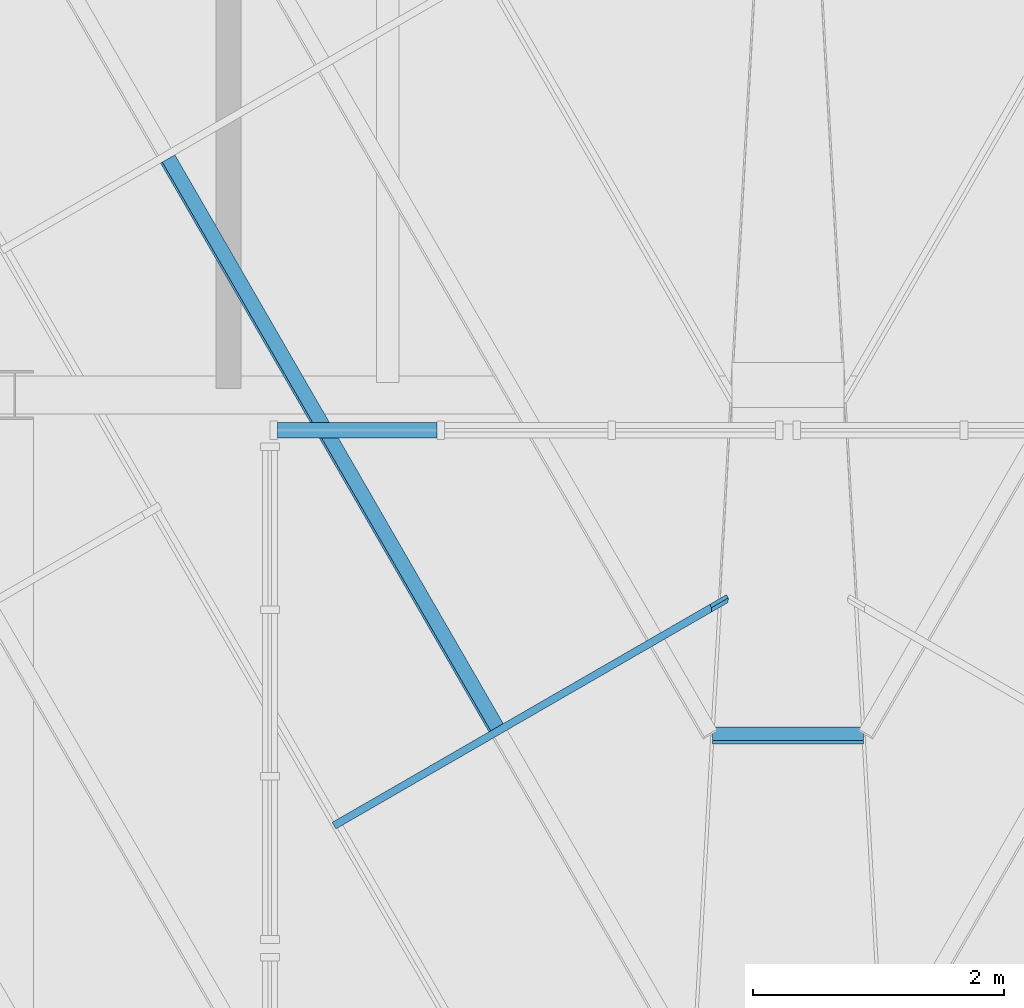
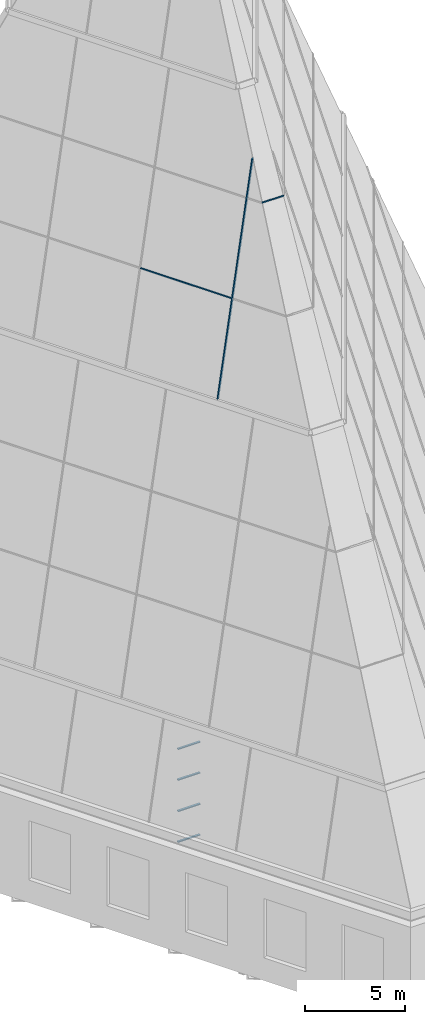
# One storey, part 11 of 36: 7 members, 3 elements without a shape of their own.
"""IFC4 building model written with IfcOpenShell, lengths in metres."""

from ifc_helpers import new_model, si_unit, direction, frame, origin, origin_2d, place, context, subcontext, project, spatial, rectangle, extrude, clip, halfspace, material, layer, layer_set, material_profile, profile_set, type_object, element, aggregate, save


model = new_model("IFC4")

# Units and contexts
model_context = context("Model", 3, precision=1e-05, world=origin(), true_north=direction((0.0, 1.0)))
body_context = subcontext(model_context, "Body", "Model", "MODEL_VIEW")
ifc_project = project(units=[si_unit("LENGTHUNIT", "METRE"), si_unit("AREAUNIT", "SQUARE_METRE"), si_unit("VOLUMEUNIT", "CUBIC_METRE"), si_unit("PLANEANGLEUNIT", "RADIAN"), si_unit("MASSUNIT", "GRAM", prefix="KILO")], contexts=[model_context])

# Site, building, storey
site_placement = place(None, origin())
site = spatial("IfcSite", under=ifc_project, at=site_placement, CompositionType="ELEMENT")
building_placement = place(site_placement, origin())
building = spatial("IfcBuilding", under=site, at=building_placement, Name="Njiva Tower", CompositionType="ELEMENT")
storey_placement = place(building_placement, frame((0.0, 0.0, 337.8)))
storey = spatial("IfcBuildingStorey", under=building, at=storey_placement, Name="L77", CompositionType="ELEMENT", Elevation=337.8)

# Curtain wall, members
ifc_material_1 = material(Name="Glazed curtain wall", Category="glass")
ifc_layer_1 = layer(ifc_material_1, 0.16)
ifc_layer_set_1 = layer_set([ifc_layer_1], Name="Glazed curtain wall")
curtain_wall_type_1 = type_object("IfcCurtainWallType", Name="CW2 Crown glazing, faceted point, long faces", PredefinedType="NOTDEFINED", material=ifc_layer_set_1)
curtain_wall_1_placement = place(storey_placement, origin())
curtain_wall_1 = element("IfcCurtainWall", 1, at=curtain_wall_1_placement, inside=storey, type_object=curtain_wall_type_1, Name="Crown glazing face SW tier 3", PredefinedType="NOTDEFINED")
ifc_material_2 = material(Name="Aluminium mullion", Category="aluminium")
ifc_material_profile_1 = material_profile(ifc_material_2, rectangle(XDim=0.16, YDim=0.06, at=origin_2d()), Name="RECT 160x60")
ifc_profile_set_1 = profile_set([ifc_material_profile_1], Name="Aluminium mullion")
member_type_1 = type_object("IfcMemberType", Name="CW2-M Crown glazing mullion 160x60", PredefinedType="MULLION", material=ifc_profile_set_1)
member_1_placement = place(storey_placement, frame((-3.5433, -6.5858, 28.6446), z_axis=(0.230732980377, 0.133218632255, 0.963854287632), x_axis=(-0.834714647889, -0.481940395056, 0.266429938659)))
member_1 = element("IfcMember", 2, at=member_1_placement, type_object=member_type_1, Name="CW2-33 mullion 4", PredefinedType="MULLION", context=body_context, shape_type="Clipping", body=[
    clip(clip(extrude(rectangle(XDim=0.16, YDim=0.06, at=origin_2d()), origin(), (0.0, 0.0, 1.0), 13.0124), halfspace(frame((0.08, 0.0, 0.0), z_axis=(-1.509678e-06, -4.229361e-06, -0.99999999999), x_axis=(0.0, -0.999999999991, 4.229361e-06)), False)), halfspace(frame((0.08, 0.0, 13.0125), z_axis=(1.4744855e-05, 0.926533993771, 0.376211055353), x_axis=(0.0, 0.376211055394, -0.926533993871)), False)),
])
ifc_material_3 = material(Name="Aluminium transom", Category="aluminium")
ifc_material_profile_2 = material_profile(ifc_material_3, rectangle(XDim=0.12, YDim=0.06, at=origin_2d()), Name="RECT 120x60")
ifc_profile_set_2 = profile_set([ifc_material_profile_2], Name="Aluminium transom")
member_type_2 = type_object("IfcMemberType", Name="CW2-T Crown glazing transom 120x60", PredefinedType="USERDEFINED", material=ifc_profile_set_2)
member_2_placement = place(storey_placement, frame((-4.9332, -1.3218, 33.8869), z_axis=(0.500011895634, -0.866018535728, 0.0), x_axis=(-0.834716027067, -0.481938810534, 0.266428483949)))
member_2 = element("IfcMember", 3, at=member_2_placement, type_object=member_type_2, Name="CW2-33 transom 4.1", ObjectType="TRANSOM", PredefinedType="USERDEFINED", context=body_context, shape_type="SweptSolid", body=[
    extrude(rectangle(XDim=0.12, YDim=0.06, at=origin_2d()), origin(), (0.0, 0.0, 1.0), 5.2237),
])
aggregate(curtain_wall_1, [member_1, member_2])

# Curtain wall, member
ifc_layer_2 = layer(ifc_material_1, 0.16)
ifc_layer_set_2 = layer_set([ifc_layer_2], Name="Glazed curtain wall")
curtain_wall_type_2 = type_object("IfcCurtainWallType", Name="CW3 Crown glazing, faceted point, corner faces", PredefinedType="NOTDEFINED", material=ifc_layer_set_2)
curtain_wall_2_placement = place(storey_placement, origin())
curtain_wall_2 = element("IfcCurtainWall", 4, at=curtain_wall_2_placement, inside=storey, type_object=curtain_wall_type_2, Name="Crown glazing face S tier 3", PredefinedType="NOTDEFINED")
ifc_material_profile_3 = material_profile(ifc_material_3, rectangle(XDim=0.12, YDim=0.06, at=origin_2d()), Name="RECT 120x60")
ifc_profile_set_3 = profile_set([ifc_material_profile_3], Name="Aluminium transom")
member_type_3 = type_object("IfcMemberType", Name="CW3-T Crown corner glazing transom 120x60", PredefinedType="USERDEFINED", material=ifc_profile_set_3)
member_3_placement = place(storey_placement, frame((-0.6002, -5.9089, 39.131), z_axis=(1.0, 0.0, 0.0), x_axis=(0.0, -0.893337093856, 0.449387179101)))
member_3 = element("IfcMember", 5, at=member_3_placement, type_object=member_type_3, Name="CW3-43 transom 1.2", ObjectType="TRANSOM", PredefinedType="USERDEFINED", context=body_context, shape_type="Clipping", body=[
    clip(clip(extrude(rectangle(XDim=0.12, YDim=0.06, at=origin_2d()), origin(), (0.0, 0.0, 1.0), 1.2004), halfspace(frame((0.06, 0.0, 0.0), z_axis=(5.16e-10, -0.025674887923, -0.999670345729), x_axis=(0.0, -0.999670345729, 0.025674887923)), False)), halfspace(frame((0.06, 0.0, 1.2004), z_axis=(5.16e-10, -0.025674887923, 0.999670345729), x_axis=(0.0, 0.999670345729, 0.025674887923)), False)),
])
aggregate(curtain_wall_2, [member_3])

# Curtain wall, members
ifc_layer_3 = layer(ifc_material_1, 0.2)
ifc_layer_set_3 = layer_set([ifc_layer_3], Name="Glazed curtain wall")
curtain_wall_type_3 = type_object("IfcCurtainWallType", Name="CW5 Atrium lantern glazing", PredefinedType="NOTDEFINED", material=ifc_layer_set_3)
curtain_wall_3_placement = place(storey_placement, origin())
curtain_wall_3 = element("IfcCurtainWall", 6, at=curtain_wall_3_placement, inside=storey, type_object=curtain_wall_type_3, Name="Atrium lantern north 1", PredefinedType="NOTDEFINED")
ifc_material_profile_4 = material_profile(ifc_material_3, rectangle(XDim=0.12, YDim=0.06, at=origin_2d()), Name="RECT 120x60")
ifc_profile_set_4 = profile_set([ifc_material_profile_4], Name="Aluminium transom")
member_type_4 = type_object("IfcMemberType", Name="CW5-T Lantern transom 120x60", PredefinedType="USERDEFINED", material=ifc_profile_set_4)
member_4_placement = place(storey_placement, frame((-4.06, -3.48, 0.03), z_axis=(1.0, 0.0, 0.0), x_axis=(0.0, 1.0, 0.0)))
member_4 = element("IfcMember", 7, at=member_4_placement, type_object=member_type_4, Name="CW5-3 transom 1.1", ObjectType="TRANSOM", PredefinedType="USERDEFINED", context=body_context, shape_type="SweptSolid", body=[
    extrude(rectangle(XDim=0.12, YDim=0.06, at=origin_2d()), origin(), (0.0, 0.0, 1.0), 1.27),
])
member_5_placement = place(storey_placement, frame((-4.06, -3.48, 1.9), z_axis=(1.0, 0.0, 0.0), x_axis=(0.0, 1.0, 0.0)))
member_5 = element("IfcMember", 8, at=member_5_placement, type_object=member_type_4, Name="CW5-3 transom 1.2", ObjectType="TRANSOM", PredefinedType="USERDEFINED", context=body_context, shape_type="SweptSolid", body=[
    extrude(rectangle(XDim=0.12, YDim=0.06, at=origin_2d()), origin(), (0.0, 0.0, 1.0), 1.27),
])
member_6_placement = place(storey_placement, frame((-4.06, -3.48, 3.8), z_axis=(1.0, 0.0, 0.0), x_axis=(0.0, 1.0, 0.0)))
member_6 = element("IfcMember", 9, at=member_6_placement, type_object=member_type_4, Name="CW5-3 transom 1.3", ObjectType="TRANSOM", PredefinedType="USERDEFINED", context=body_context, shape_type="SweptSolid", body=[
    extrude(rectangle(XDim=0.12, YDim=0.06, at=origin_2d()), origin(), (0.0, 0.0, 1.0), 1.27),
])
member_7_placement = place(storey_placement, frame((-4.06, -3.48, 5.67), z_axis=(1.0, 0.0, 0.0), x_axis=(0.0, 1.0, 0.0)))
member_7 = element("IfcMember", 10, at=member_7_placement, type_object=member_type_4, Name="CW5-3 transom 1.4", ObjectType="TRANSOM", PredefinedType="USERDEFINED", context=body_context, shape_type="SweptSolid", body=[
    extrude(rectangle(XDim=0.12, YDim=0.06, at=origin_2d()), origin(), (0.0, 0.0, 1.0), 1.27),
])
aggregate(curtain_wall_3, [member_4, member_5, member_6, member_7])

save(model, "model.ifc")
